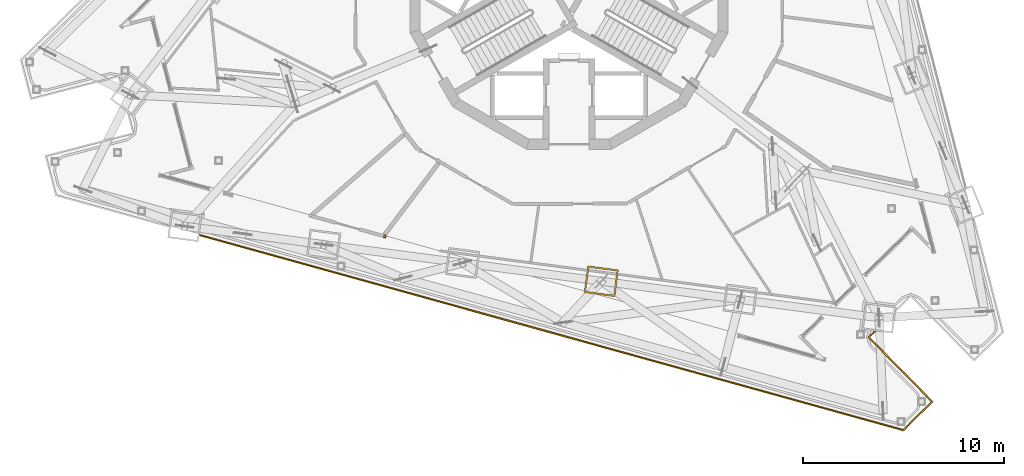
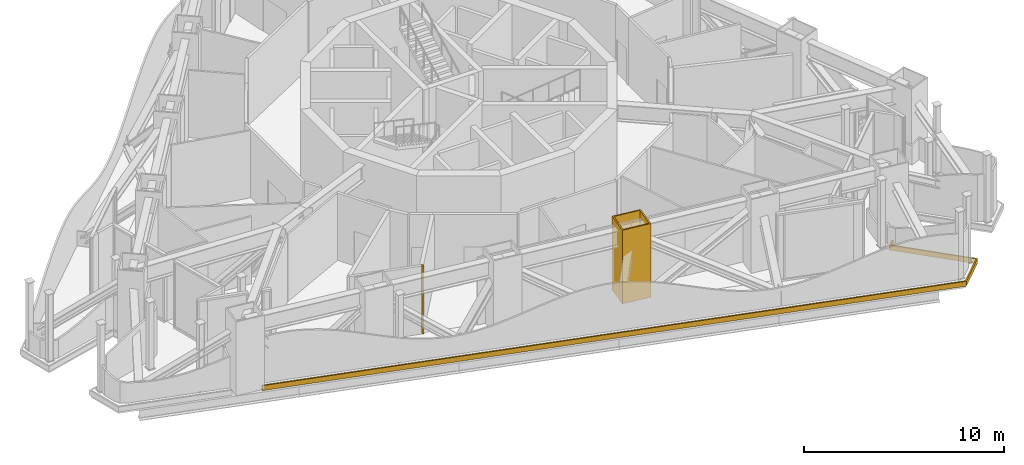
# One storey, part 16 of 22: 3 coverings.
"""IFC4 building model written with IfcOpenShell, lengths in metres."""

from ifc_helpers import new_model, si_unit, direction, frame, origin, place, context, subcontext, project, spatial, polyline, outline, extrude, material, layer, layer_set, type_object, element, save


model = new_model("IFC4")

# Units and contexts
model_context = context("Model", 3, precision=1e-05, world=origin(), true_north=direction((0.0, 1.0)))
body_context = subcontext(model_context, "Body", "Model", "MODEL_VIEW")
ifc_project = project(units=[si_unit("LENGTHUNIT", "METRE"), si_unit("AREAUNIT", "SQUARE_METRE"), si_unit("VOLUMEUNIT", "CUBIC_METRE"), si_unit("PLANEANGLEUNIT", "RADIAN"), si_unit("MASSUNIT", "GRAM", prefix="KILO")], contexts=[model_context])

# Site, building, storey
site_placement = place(None, origin())
site = spatial("IfcSite", under=ifc_project, at=site_placement, CompositionType="ELEMENT")
building_placement = place(site_placement, origin())
building = spatial("IfcBuilding", under=site, at=building_placement, Name="Trine Commons Tower", CompositionType="ELEMENT")
storey_placement = place(building_placement, frame((0.0, 0.0, 267.300048828125)))
storey = spatial("IfcBuildingStorey", under=building, at=storey_placement, Name="L70", CompositionType="ELEMENT", Elevation=267.300048828125)

# Coverings
ifc_material_1 = material(Name="Aluminium-framed insulated wall panel", Category="aluminium")
ifc_layer_1 = layer(ifc_material_1, 0.14990234375)
ifc_layer_set_1 = layer_set([ifc_layer_1], Name="Aluminium-framed insulated wall panel")
covering_type_1 = type_object("IfcCoveringType", Name="Glazing corner post, aluminium", PredefinedType="CLADDING", material=ifc_layer_set_1)
covering_1_placement = place(storey_placement, origin())
element("IfcCovering", 1, at=covering_1_placement, inside=storey, type_object=covering_type_1, Name="Entrance wall jamb post F3 7A", PredefinedType="CLADDING", context=body_context, shape_type="SweptSolid", body=[
    extrude(outline(polyline([(70.854736328125, 50.157470703125), (70.75830078125, 50.18408203125), (70.79833984375, 50.32861328125), (70.894775390625, 50.302001953125), (70.854736328125, 50.157470703125)])), origin(), (0.0, 0.0, 1.0), 4.14990234375),
])
ifc_material_2 = material(Name="Limestone, honed", Category="masonry")
ifc_layer_2 = layer(ifc_material_2, 0.074951171875)
ifc_layer_set_2 = layer_set([ifc_layer_2], Name="Limestone, honed")
covering_type_2 = type_object("IfcCoveringType", Name="Limestone column cladding 75", PredefinedType="CLADDING", material=ifc_layer_set_2)
covering_2_placement = place(storey_placement, origin())
element("IfcCovering", 2, at=covering_2_placement, inside=storey, type_object=covering_type_2, Name="Limestone pier cladding 8-03", PredefinedType="CLADDING", context=body_context, shape_type="SweptSolid", body=[
    extrude(outline(polyline([(80.928466796875, 48.779296875), (80.752197265625, 47.44091796875), (82.2890625, 47.238525390625), (82.465087890625, 48.5771484375), (80.928466796875, 48.779296875)]), holes=[polyline([(80.992919921875, 48.6953125), (80.83642578125, 47.505615234375), (82.224365234375, 47.32275390625), (82.381103515625, 48.512451171875), (80.992919921875, 48.6953125)])]), origin(), (0.0, 0.0, 1.0), 4.5),
])
ifc_layer_3 = layer(ifc_material_2, 0.074951171875)
ifc_layer_set_3 = layer_set([ifc_layer_3], Name="Limestone, honed")
covering_type_3 = type_object("IfcCoveringType", Name="Limestone spandrel panel 75", PredefinedType="CLADDING", material=ifc_layer_set_3)
covering_3_placement = place(storey_placement, frame((0.0, 0.0, -0.300048828125)))
element("IfcCovering", 3, at=covering_3_placement, inside=storey, type_object=covering_type_3, Name="Limestone spandrel panel 7-02", PredefinedType="CLADDING", context=body_context, shape_type="SweptSolid", body=[
    extrude(outline(polyline([(94.985595703125, 45.21728515625), (95.29931640625, 45.525634765625), (95.205078125, 45.5380859375), (94.879638671875, 45.218505859375), (98.03369140625, 42.0087890625), (96.6328125, 40.632080078125), (61.599609375, 50.34765625), (61.589599609375, 50.2724609375), (96.654541015625, 40.548095703125), (98.1396484375, 42.0078125), (94.985595703125, 45.21728515625)])), origin(), (0.0, 0.0, 1.0), 0.300048828125),
])

save(model, "model.ifc")
